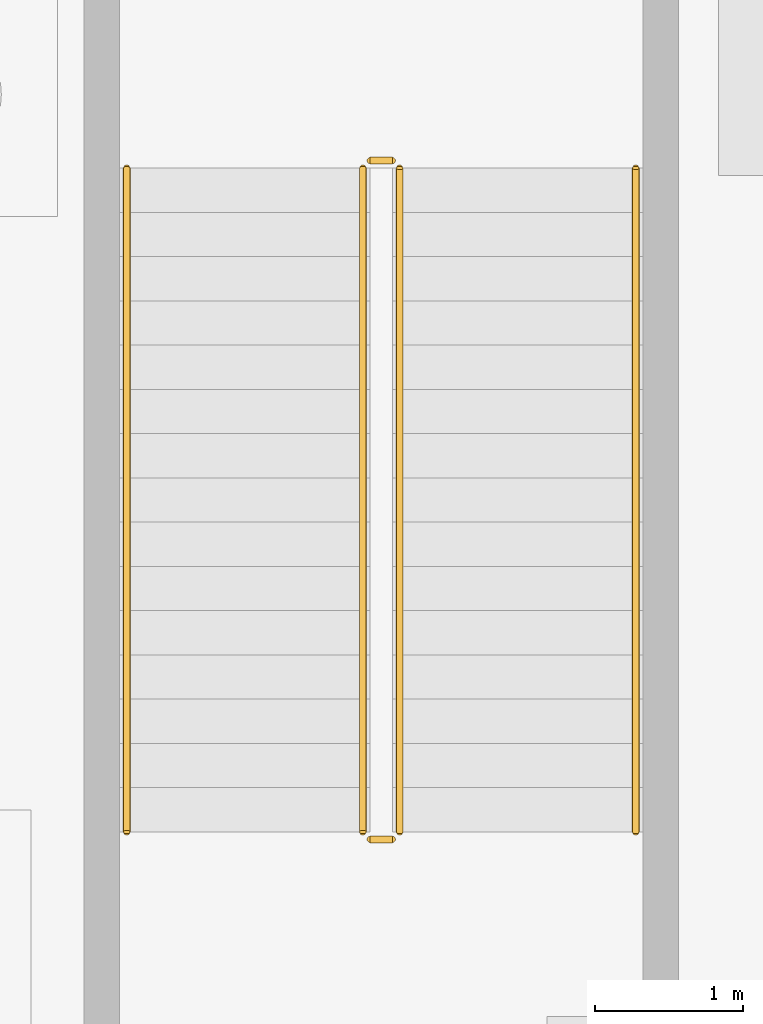
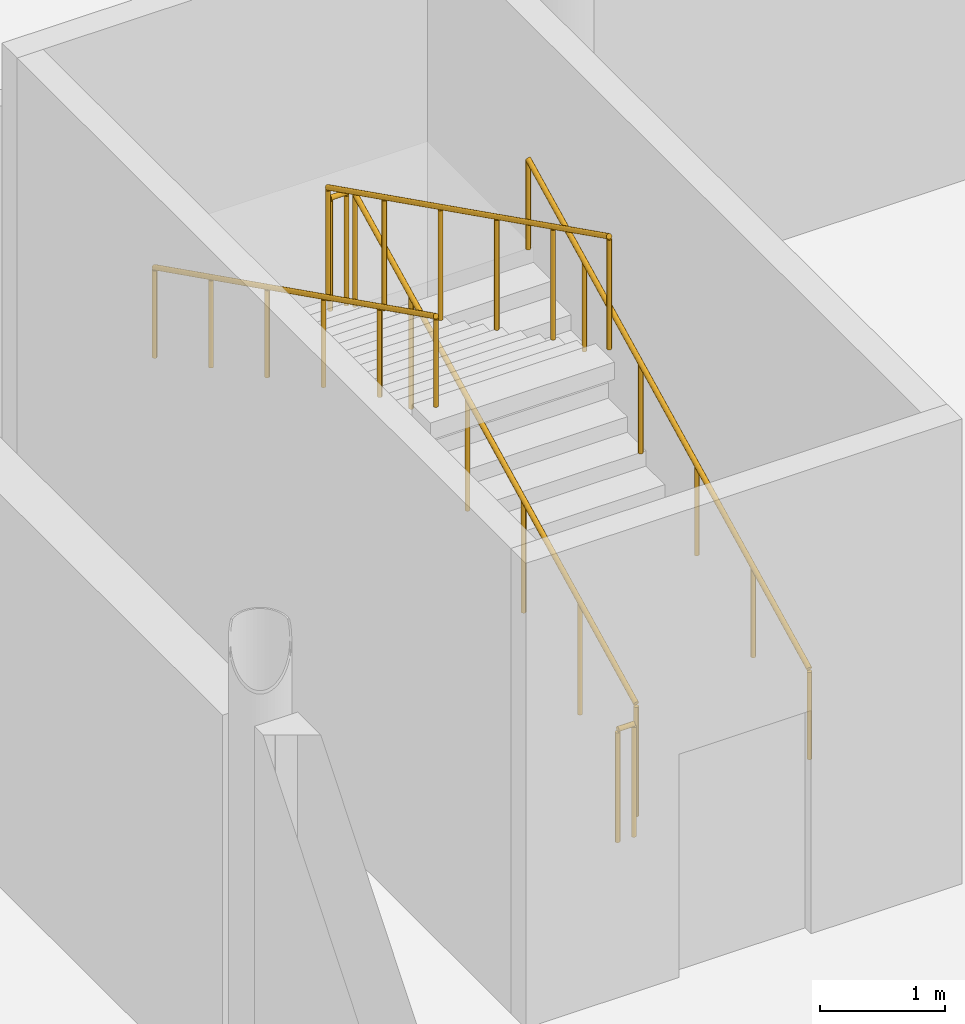
# One storey, part 36 of 44: 6 railings.
"""IFC4 building model written with IfcOpenShell, lengths in metres."""

from ifc_helpers import new_model, si_unit, direction, frame, origin, origin_2d, place, context, subcontext, project, spatial, circle, extrude, material, layer, layer_set, type_object, element, save


model = new_model("IFC4")

# Units and contexts
model_context = context("Model", 3, precision=1e-05, world=origin(), true_north=direction((0.0, 1.0)))
body_context = subcontext(model_context, "Body", "Model", "MODEL_VIEW")
ifc_project = project(units=[si_unit("LENGTHUNIT", "METRE"), si_unit("AREAUNIT", "SQUARE_METRE"), si_unit("VOLUMEUNIT", "CUBIC_METRE"), si_unit("PLANEANGLEUNIT", "RADIAN"), si_unit("MASSUNIT", "GRAM", prefix="KILO")], contexts=[model_context])

# Site, building, storey
site_placement = place(None, origin())
site = spatial("IfcSite", under=ifc_project, at=site_placement, CompositionType="ELEMENT")
building_placement = place(site_placement, origin())
building = spatial("IfcBuilding", under=site, at=building_placement, Name="Yukiwa Park Conservatory and Herbarium", CompositionType="ELEMENT")
storey_placement = place(building_placement, frame((0.0, 0.0, -4.800048828125)))
storey = spatial("IfcBuildingStorey", under=building, at=storey_placement, Name="B1", CompositionType="ELEMENT", Elevation=-4.800048828125)

# Railings
ifc_material_1 = material(Name="Steel Q235B", Category="steel")
ifc_layer_1 = layer(ifc_material_1, 0.050048828125)
ifc_layer_set_1 = layer_set([ifc_layer_1], Name="Steel Q235B")
railing_type_1 = type_object("IfcRailingType", Name="RL-STAIR-GUARD-1120", PredefinedType="BALUSTRADE", material=ifc_layer_set_1)
railing_1_placement = place(storey_placement, frame((4.60009765625, 9.14990234375, 0.150146484375)))
element("IfcRailing", 1, at=railing_1_placement, inside=storey, type_object=railing_type_1, Name="B1 ST-C1 stair guard 1", PredefinedType="BALUSTRADE", context=body_context, shape_type="SweptSolid", body=[
    extrude(circle(Radius=0.02392578125, at=origin_2d()), frame((0.0, 0.0, 1.09619140625), z_axis=(0.0, 0.894427191, 0.4472135955), x_axis=(-1.0, 0.0, 0.0)), (0.0, 0.0, 1.0), 5.03125),
    extrude(circle(Radius=0.02099609375, at=origin_2d()), origin(), (0.0, 0.0, 1.0), 1.072021484375),
    extrude(circle(Radius=0.02099609375, at=origin_2d()), frame((0.0, 0.89990234375, 0.449951171875)), (0.0, 0.0, 1.0), 1.072021484375),
    extrude(circle(Radius=0.02099609375, at=origin_2d()), frame((0.0, 1.800048828125, 0.89990234375)), (0.0, 0.0, 1.0), 1.072021484375),
    extrude(circle(Radius=0.02099609375, at=origin_2d()), frame((0.0, 2.699951171875, 1.35009765625)), (0.0, 0.0, 1.0), 1.072021484375),
    extrude(circle(Radius=0.02099609375, at=origin_2d()), frame((0.0, 3.60009765625, 1.800048828125)), (0.0, 0.0, 1.0), 1.072021484375),
    extrude(circle(Radius=0.02099609375, at=origin_2d()), frame((0.0, 4.5, 2.25)), (0.0, 0.0, 1.0), 1.072021484375),
])
railing_2_placement = place(storey_placement, frame((4.550048828125, 13.699951171875, 2.400146484375)))
element("IfcRailing", 2, at=railing_2_placement, inside=storey, type_object=railing_type_1, Name="B1 ST-C1 stair guard 2", PredefinedType="BALUSTRADE", context=body_context, shape_type="SweptSolid", body=[
    extrude(circle(Radius=0.02392578125, at=origin_2d()), frame((0.0, 0.0, 1.09619140625), z_axis=(-1.0, 0.0, 0.0), x_axis=(0.0, -1.0, 0.0)), (0.0, 0.0, 1.0), 0.150146484375),
    extrude(circle(Radius=0.02099609375, at=origin_2d()), origin(), (0.0, 0.0, 1.0), 1.072021484375),
    extrude(circle(Radius=0.02099609375, at=origin_2d()), frame((-0.150146484375, 0.0, 0.0)), (0.0, 0.0, 1.0), 1.072021484375),
])
railing_3_placement = place(storey_placement, frame((4.35009765625, 13.64990234375, 2.550048828125)))
element("IfcRailing", 3, at=railing_3_placement, inside=storey, type_object=railing_type_1, Name="B1 ST-C1 stair guard 3", PredefinedType="BALUSTRADE", context=body_context, shape_type="SweptSolid", body=[
    extrude(circle(Radius=0.02392578125, at=origin_2d()), frame((0.0, 0.0, 1.09619140625), z_axis=(0.0, -0.894427191, 0.4472135955), x_axis=(1.0, 0.0, 0.0)), (0.0, 0.0, 1.0), 5.03125),
    extrude(circle(Radius=0.02099609375, at=origin_2d()), origin(), (0.0, 0.0, 1.0), 1.072021484375),
    extrude(circle(Radius=0.02099609375, at=origin_2d()), frame((0.0, -0.89990234375, 0.449951171875)), (0.0, 0.0, 1.0), 1.072021484375),
    extrude(circle(Radius=0.02099609375, at=origin_2d()), frame((0.0, -1.800048828125, 0.89990234375)), (0.0, 0.0, 1.0), 1.072021484375),
    extrude(circle(Radius=0.02099609375, at=origin_2d()), frame((0.0, -2.699951171875, 1.35009765625)), (0.0, 0.0, 1.0), 1.072021484375),
    extrude(circle(Radius=0.02099609375, at=origin_2d()), frame((0.0, -3.60009765625, 1.800048828125)), (0.0, 0.0, 1.0), 1.072021484375),
    extrude(circle(Radius=0.02099609375, at=origin_2d()), frame((0.0, -4.5, 2.25)), (0.0, 0.0, 1.0), 1.072021484375),
])
railing_4_placement = place(storey_placement, frame((4.550048828125, 9.10009765625, 0.0)))
element("IfcRailing", 4, at=railing_4_placement, inside=storey, type_object=railing_type_1, Name="B1 ST-C1 stair guard 4", PredefinedType="BALUSTRADE", context=body_context, shape_type="SweptSolid", body=[
    extrude(circle(Radius=0.02392578125, at=origin_2d()), frame((0.0, 0.0, 1.09619140625), z_axis=(-1.0, 0.0, 0.0), x_axis=(0.0, -1.0, 0.0)), (0.0, 0.0, 1.0), 0.150146484375),
    extrude(circle(Radius=0.02099609375, at=origin_2d()), origin(), (0.0, 0.0, 1.0), 1.072021484375),
    extrude(circle(Radius=0.02099609375, at=origin_2d()), frame((-0.150146484375, 0.0, 0.0)), (0.0, 0.0, 1.0), 1.072021484375),
])
ifc_material_2 = material(Name="Steel Q235B", Category="steel")
ifc_layer_2 = layer(ifc_material_2, 0.044921875)
ifc_layer_set_2 = layer_set([ifc_layer_2], Name="Steel Q235B")
railing_type_2 = type_object("IfcRailingType", Name="RL-STAIR-RAIL-900", PredefinedType="HANDRAIL", material=ifc_layer_set_2)
railing_5_placement = place(storey_placement, frame((6.199951171875, 9.14990234375, 0.150146484375)))
element("IfcRailing", 5, at=railing_5_placement, inside=storey, type_object=railing_type_2, Name="B1 ST-C1 stair handrail 1", PredefinedType="HANDRAIL", context=body_context, shape_type="SweptSolid", body=[
    extrude(circle(Radius=0.02392578125, at=origin_2d()), frame((0.0, 0.0, 0.8759765625), z_axis=(0.0, 0.894427191, 0.4472135955), x_axis=(-1.0, 0.0, 0.0)), (0.0, 0.0, 1.0), 5.03125),
    extrude(circle(Radius=0.02099609375, at=origin_2d()), origin(), (0.0, 0.0, 1.0), 0.851806640625),
    extrude(circle(Radius=0.02099609375, at=origin_2d()), frame((0.0, 0.89990234375, 0.449951171875)), (0.0, 0.0, 1.0), 0.851806640625),
    extrude(circle(Radius=0.02099609375, at=origin_2d()), frame((0.0, 1.800048828125, 0.89990234375)), (0.0, 0.0, 1.0), 0.851806640625),
    extrude(circle(Radius=0.02099609375, at=origin_2d()), frame((0.0, 2.699951171875, 1.35009765625)), (0.0, 0.0, 1.0), 0.851806640625),
    extrude(circle(Radius=0.02099609375, at=origin_2d()), frame((0.0, 3.60009765625, 1.800048828125)), (0.0, 0.0, 1.0), 0.851806640625),
    extrude(circle(Radius=0.02099609375, at=origin_2d()), frame((0.0, 4.5, 2.25)), (0.0, 0.0, 1.0), 0.851806640625),
])
railing_6_placement = place(storey_placement, frame((2.75, 13.64990234375, 2.550048828125)))
element("IfcRailing", 6, at=railing_6_placement, inside=storey, type_object=railing_type_2, Name="B1 ST-C1 stair handrail 2", PredefinedType="HANDRAIL", context=body_context, shape_type="SweptSolid", body=[
    extrude(circle(Radius=0.02392578125, at=origin_2d()), frame((0.0, 0.0, 0.8759765625), z_axis=(0.0, -0.894427191, 0.4472135955), x_axis=(1.0, 0.0, 0.0)), (0.0, 0.0, 1.0), 5.03125),
    extrude(circle(Radius=0.02099609375, at=origin_2d()), origin(), (0.0, 0.0, 1.0), 0.851806640625),
    extrude(circle(Radius=0.02099609375, at=origin_2d()), frame((0.0, -0.89990234375, 0.449951171875)), (0.0, 0.0, 1.0), 0.851806640625),
    extrude(circle(Radius=0.02099609375, at=origin_2d()), frame((0.0, -1.800048828125, 0.89990234375)), (0.0, 0.0, 1.0), 0.851806640625),
    extrude(circle(Radius=0.02099609375, at=origin_2d()), frame((0.0, -2.699951171875, 1.35009765625)), (0.0, 0.0, 1.0), 0.851806640625),
    extrude(circle(Radius=0.02099609375, at=origin_2d()), frame((0.0, -3.60009765625, 1.800048828125)), (0.0, 0.0, 1.0), 0.851806640625),
    extrude(circle(Radius=0.02099609375, at=origin_2d()), frame((0.0, -4.5, 2.25)), (0.0, 0.0, 1.0), 0.851806640625),
])

save(model, "model.ifc")
